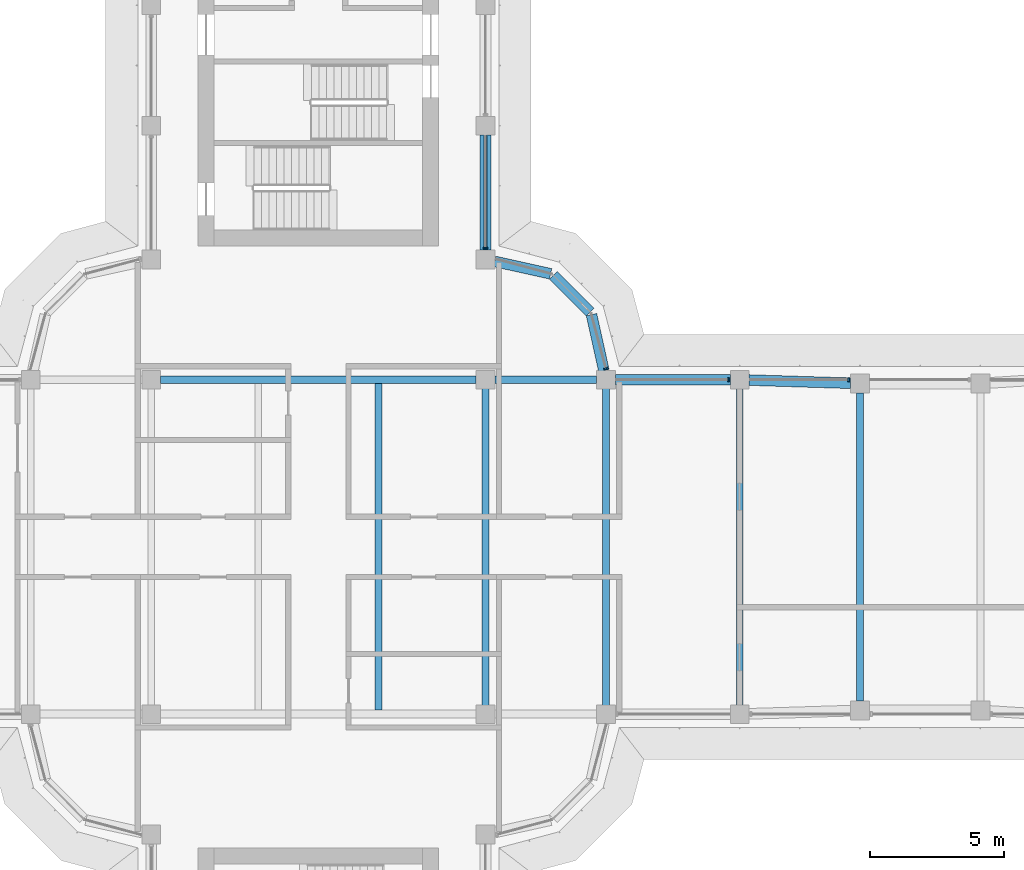
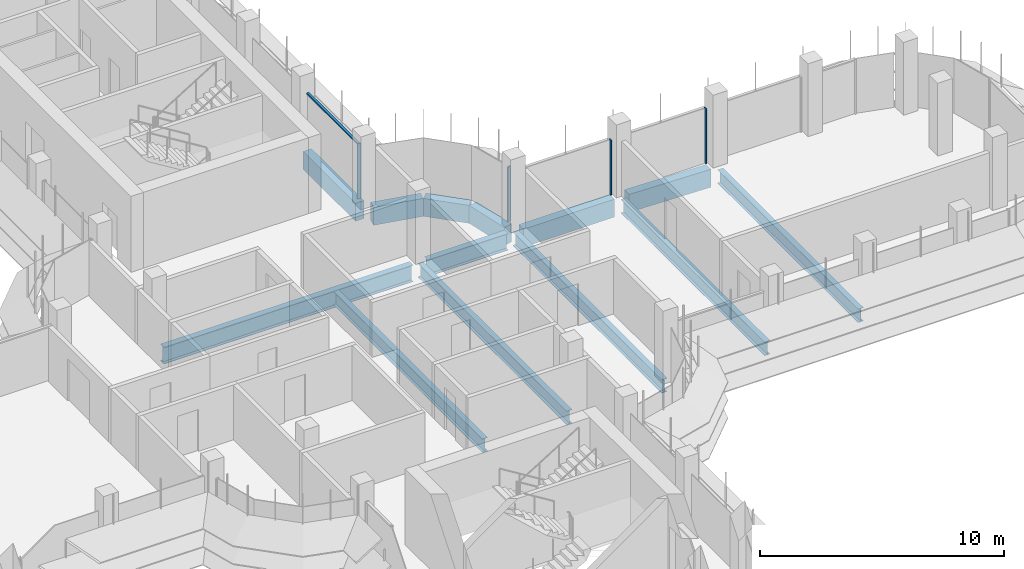
# One storey, part 8 of 19: 13 beams, 5 members, 3 elements without a shape of their own.
"""IFC4 building model written with IfcOpenShell, lengths in metres."""

from ifc_helpers import new_model, si_unit, direction, frame, origin, origin_2d, place, context, subcontext, project, spatial, polyline, rectangle, i_section, outline, extrude, source, transform, mapped, material, material_profile, profile_set, type_object, element, aggregate, save


model = new_model("IFC4")

# Units and contexts
model_context = context("Model", 3, precision=1e-05, world=origin(), true_north=direction((0.0, 1.0)))
body_context = subcontext(model_context, "Body", "Model", "MODEL_VIEW")
ifc_project = project(units=[si_unit("LENGTHUNIT", "METRE"), si_unit("AREAUNIT", "SQUARE_METRE"), si_unit("VOLUMEUNIT", "CUBIC_METRE"), si_unit("PLANEANGLEUNIT", "RADIAN"), si_unit("MASSUNIT", "GRAM", prefix="KILO")], contexts=[model_context])

# Site, building, storey
site_placement = place(None, origin())
site = spatial("IfcSite", under=ifc_project, at=site_placement, CompositionType="ELEMENT")
building_placement = place(site_placement, origin())
building = spatial("IfcBuilding", under=site, at=building_placement, Name="Zarbagh Exchange Tower", CompositionType="ELEMENT")
storey_placement = place(building_placement, frame((0.0, 0.0, 229.60009765625)))
storey = spatial("IfcBuildingStorey", under=building, at=storey_placement, Name="L56", CompositionType="ELEMENT", Elevation=229.60009765625)

# Beams
ifc_material_1 = material(Name="Steel ASTM A992 Gr 50", Category="steel")
ifc_material_profile_1 = material_profile(ifc_material_1, i_section(OverallWidth=0.25390625, OverallDepth=0.67822265625, WebThickness=0.01171875, FlangeThickness=0.016357421875, at=origin_2d()), Name="W27X84")
ifc_profile_set_1 = profile_set([ifc_material_profile_1], Name="Steel ASTM A992 Gr 50")
beam_type_1 = type_object("IfcBeamType", Name="Floor beam W27X84", PredefinedType="BEAM", material=ifc_profile_set_1)
for number, where, z_axis, x_axis, name in (
    (1, (2.25, -6.10400390625, -0.4892578125), (0.0, 1.0, 0.0), (-1.0, 0.0, 0.0), "Steel floor beam"),
    (2, (6.25, -6.10400390625, -0.4892578125), (0.0, 1.0, 0.0), (-1.0, 0.0, 0.0), "Steel floor beam"),
    (3, (10.75, -6.10400390625, -0.4892578125), (0.0, 1.0, 0.0), (-1.0, 0.0, 0.0), "Steel floor beam"),
):
    element("IfcBeam", number, at=place(storey_placement, frame(where, z_axis=z_axis, x_axis=x_axis)), inside=storey, type_object=beam_type_1, Name=name, PredefinedType="BEAM", context=body_context, shape_type="SweptSolid", body=[
        extrude(i_section(OverallWidth=0.25390625, OverallDepth=0.67822265625, WebThickness=0.01171875, FlangeThickness=0.016357421875, at=origin_2d()), origin(), (0.0, 0.0, 1.0), 12.2080078125),
    ])
beam_1_placement = place(storey_placement, frame((15.75, -5.89990234375, -0.4892578125), z_axis=(0.0, 1.0, 0.0), x_axis=(-1.0, 0.0, 0.0)))
element("IfcBeam", 4, at=beam_1_placement, inside=storey, type_object=beam_type_1, Name="Steel floor beam", PredefinedType="BEAM", context=body_context, shape_type="SweptSolid", body=[
    extrude(i_section(OverallWidth=0.25390625, OverallDepth=0.67822265625, WebThickness=0.01171875, FlangeThickness=0.016357421875, at=origin_2d()), origin(), (0.0, 0.0, 1.0), 11.7998046875),
])
beam_2_placement = place(storey_placement, frame((20.25, -5.760009765625, -0.4892578125), z_axis=(0.0, 1.0, 0.0), x_axis=(-1.0, 0.0, 0.0)))
element("IfcBeam", 5, at=beam_2_placement, inside=storey, type_object=beam_type_1, Name="Steel floor beam", PredefinedType="BEAM", context=body_context, shape_type="SweptSolid", body=[
    extrude(i_section(OverallWidth=0.25390625, OverallDepth=0.67822265625, WebThickness=0.01171875, FlangeThickness=0.016357421875, at=origin_2d()), origin(), (0.0, 0.0, 1.0), 11.52001953125),
])
ifc_material_profile_2 = material_profile(ifc_material_1, i_section(OverallWidth=0.2919921875, OverallDepth=0.835693359375, WebThickness=0.013916015625, FlangeThickness=0.018798828125, at=origin_2d()), Name="W33X118")
ifc_profile_set_2 = profile_set([ifc_material_profile_2], Name="Steel ASTM A992 Gr 50")
beam_type_2 = type_object("IfcBeamType", Name="Floor girder W33X118", PredefinedType="BEAM", material=ifc_profile_set_2)
beam_3_placement = place(storey_placement, frame((-5.89990234375, 6.25, -0.56787109375), z_axis=(1.0, 0.0, 0.0), x_axis=(0.0, 1.0, 0.0)))
element("IfcBeam", 6, at=beam_3_placement, inside=storey, type_object=beam_type_2, Name="Steel girder", PredefinedType="BEAM", context=body_context, shape_type="SweptSolid", body=[
    extrude(i_section(OverallWidth=0.2919921875, OverallDepth=0.835693359375, WebThickness=0.013916015625, FlangeThickness=0.018798828125, at=origin_2d()), origin(), (0.0, 0.0, 1.0), 11.7998046875),
])
beam_4_placement = place(storey_placement, frame((6.60009765625, 6.25, -0.56787109375), z_axis=(1.0, 0.0, 0.0), x_axis=(0.0, 1.0, 0.0)))
element("IfcBeam", 7, at=beam_4_placement, inside=storey, type_object=beam_type_2, Name="Steel girder", PredefinedType="BEAM", context=body_context, shape_type="SweptSolid", body=[
    extrude(i_section(OverallWidth=0.2919921875, OverallDepth=0.835693359375, WebThickness=0.013916015625, FlangeThickness=0.018798828125, at=origin_2d()), origin(), (0.0, 0.0, 1.0), 3.7998046875),
])
ifc_material_2 = material(Name="Concrete C50/60", Category="concrete")
ifc_material_profile_3 = material_profile(ifc_material_2, rectangle(XDim=0.39990234375, YDim=0.89990234375, at=origin_2d()), Name="RC spandrel beam 400 x 900 C50/60")
ifc_profile_set_3 = profile_set([ifc_material_profile_3], Name="Concrete C50/60")
beam_type_3 = type_object("IfcBeamType", Name="RC spandrel beam 400 x 900 C50/60", PredefinedType="SPANDREL", material=ifc_profile_set_3)
beam_5_placement = place(storey_placement, frame((6.25, 15.39990234375, -0.60009765625), z_axis=(0.0, -1.0, 0.0), x_axis=(1.0, 0.0, 0.0)))
element("IfcBeam", 8, at=beam_5_placement, inside=storey, type_object=beam_type_3, Name="RC spandrel beam", PredefinedType="SPANDREL", context=body_context, shape_type="SweptSolid", body=[
    extrude(rectangle(XDim=0.39990234375, YDim=0.89990234375, at=origin_2d()), origin(), (0.0, 0.0, 1.0), 4.2998046875),
])
beam_6_placement = place(storey_placement, frame((6.591796875, 10.67431640625, -0.60009765625), z_axis=(0.97639036545, -0.216013551096, 0.0), x_axis=(0.216013551096, 0.97639036545, 0.0)))
element("IfcBeam", 9, at=beam_6_placement, inside=storey, type_object=beam_type_3, Name="RC spandrel beam", PredefinedType="SPANDREL", context=body_context, shape_type="SweptSolid", body=[
    extrude(rectangle(XDim=0.39990234375, YDim=0.89990234375, at=origin_2d()), origin(), (0.0, 0.0, 1.0), 2.142822265625),
])
beam_7_placement = place(storey_placement, frame((8.782470703125, 10.15771484375, -0.60009765625), z_axis=(0.707106781187, -0.707106781187, 0.0), x_axis=(0.707106781187, 0.707106781187, 0.0)))
element("IfcBeam", 10, at=beam_7_placement, inside=storey, type_object=beam_type_3, Name="RC spandrel beam", PredefinedType="SPANDREL", context=body_context, shape_type="SweptSolid", body=[
    extrude(rectangle(XDim=0.39990234375, YDim=0.89990234375, at=origin_2d()), origin(), (0.0, 0.0, 1.0), 1.94482421875),
])
beam_8_placement = place(storey_placement, frame((10.21142578125, 8.68408203125, -0.60009765625), z_axis=(0.216013551096, -0.97639036545, 0.0), x_axis=(0.97639036545, 0.216013551096, 0.0)))
element("IfcBeam", 11, at=beam_8_placement, inside=storey, type_object=beam_type_3, Name="RC spandrel beam", PredefinedType="SPANDREL", context=body_context, shape_type="SweptSolid", body=[
    extrude(rectangle(XDim=0.39990234375, YDim=0.89990234375, at=origin_2d()), origin(), (0.0, 0.0, 1.0), 2.142822265625),
])
beam_9_placement = place(storey_placement, frame((11.10009765625, 6.25, -0.60009765625), z_axis=(1.0, 0.0, 0.0), x_axis=(0.0, 1.0, 0.0)))
element("IfcBeam", 12, at=beam_9_placement, inside=storey, type_object=beam_type_3, Name="RC spandrel beam", PredefinedType="SPANDREL", context=body_context, shape_type="SweptSolid", body=[
    extrude(rectangle(XDim=0.39990234375, YDim=0.89990234375, at=origin_2d()), origin(), (0.0, 0.0, 1.0), 4.2998046875),
])
beam_10_placement = place(storey_placement, frame((16.099853515625, 6.239013671875, -0.60009765625), z_axis=(0.999516950199, -0.031078389046, 0.0), x_axis=(0.031078389046, 0.999516950199, 0.0)))
element("IfcBeam", 13, at=beam_10_placement, inside=storey, type_object=beam_type_3, Name="RC spandrel beam", PredefinedType="SPANDREL", context=body_context, shape_type="SweptSolid", body=[
    extrude(rectangle(XDim=0.39990234375, YDim=0.89990234375, at=origin_2d()), origin(), (0.0, 0.0, 1.0), 3.80224609375),
])

# Curtain wall, members
ifc_material_3 = material(Name="Anodised aluminium frame and glazing", Category="aluminium")
curtain_wall_type = type_object("IfcCurtainWallType", Name="CWB Ribbon glazing, upper zones", PredefinedType="NOTDEFINED", material=ifc_material_3)
curtain_wall_1_placement = place(storey_placement, origin())
curtain_wall_1 = element("IfcCurtainWall", 14, at=curtain_wall_1_placement, inside=storey, type_object=curtain_wall_type, Name="CWB16 curtain wall", PredefinedType="NOTDEFINED")
ifc_material_4 = material(Name="Anodised aluminium frame", Category="aluminium")
member_type_1 = type_object("IfcMemberType", Name="MUB Mullion, anodised aluminium frame", PredefinedType="MULLION", material=ifc_material_4)
shared_shape_1 = source(origin(), body_context, "Body", "SweptSolid", [
    extrude(outline(polyline([(0.0, -0.080078125), (0.06005859375, -0.080078125), (0.06005859375, 0.080078125), (0.0, 0.080078125), (0.0, -0.080078125)])), origin(), (0.0, 0.0, 1.0), 2.75),
])
placement = place(storey_placement, origin())
member_1 = element("IfcMember", 15, at=placement, type_object=member_type_1, Name="CWB16 mullion 3.1", PredefinedType="MULLION", context=body_context, shape_type="MappedRepresentation", body=[
    mapped(shared_shape_1, transform((19.85986328125, 6.25, 0.0), x_axis=(-1.0, 0.0, 0.0), y_axis=(0.0, -1.0, 0.0), z_axis=(0.0, 0.0, 1.0))),
])
member_2 = element("IfcMember", 16, at=placement, type_object=member_type_1, Name="CWB16 mullion 4.1", PredefinedType="MULLION", context=body_context, shape_type="MappedRepresentation", body=[
    mapped(shared_shape_1, transform((15.35986328125, 6.25, 0.0), x_axis=(-1.0, 0.0, 0.0), y_axis=(0.0, -1.0, 0.0), z_axis=(0.0, 0.0, 1.0))),
])
aggregate(curtain_wall_1, [member_1, member_2])

# Curtain wall, member
curtain_wall_2_placement = place(storey_placement, origin())
curtain_wall_2 = element("IfcCurtainWall", 17, at=curtain_wall_2_placement, inside=storey, type_object=curtain_wall_type, Name="CWB17 curtain wall", PredefinedType="NOTDEFINED")
member_3 = element("IfcMember", 18, at=placement, type_object=member_type_1, Name="CWB17 mullion 1.1", PredefinedType="MULLION", context=body_context, shape_type="MappedRepresentation", body=[
    mapped(shared_shape_1, transform((10.76171875, 6.64013671875, 0.0), x_axis=(-0.258824779902, 0.965924289636, 0.0), y_axis=(-0.965924289636, -0.258824779902, 0.0), z_axis=(0.0, 0.0, 1.0))),
])
aggregate(curtain_wall_2, [member_3])

# Curtain wall, members
curtain_wall_3_placement = place(storey_placement, origin())
curtain_wall_3 = element("IfcCurtainWall", 19, at=curtain_wall_3_placement, inside=storey, type_object=curtain_wall_type, Name="CWB67 curtain wall", PredefinedType="NOTDEFINED")
member_4 = element("IfcMember", 20, at=placement, type_object=member_type_1, Name="CWB67 mullion 1.1", PredefinedType="MULLION", context=body_context, shape_type="MappedRepresentation", body=[
    mapped(shared_shape_1, transform((6.25, 11.14013671875, 0.0), x_axis=(0.0, 1.0, 0.0), y_axis=(-1.0, 0.0, 0.0), z_axis=(0.0, 0.0, 1.0))),
])
member_type_2 = type_object("IfcMemberType", Name="TRB Transom, anodised aluminium frame", PredefinedType="USERDEFINED", material=ifc_material_4)
shared_shape_2 = source(origin(), body_context, "Body", "SweptSolid", [
    extrude(outline(polyline([(-0.06005859375, -0.06005859375), (0.0, -0.06005859375), (0.0, 0.06005859375), (-0.06005859375, 0.06005859375), (-0.06005859375, -0.06005859375)])), origin(), (0.0, 0.0, 1.0), 4.159912109375),
])
member_5 = element("IfcMember", 21, at=placement, type_object=member_type_2, Name="CWB67 transom 1.1", ObjectType="TRANSOM", PredefinedType="USERDEFINED", context=body_context, shape_type="MappedRepresentation", body=[
    mapped(shared_shape_2, transform((6.25, 11.199951171875, 2.75), x_axis=(0.0, 0.0, 1.0), y_axis=(1.0, 0.0, 0.0), z_axis=(0.0, 1.0, 0.0))),
])
aggregate(curtain_wall_3, [member_4, member_5])

save(model, "model.ifc")
